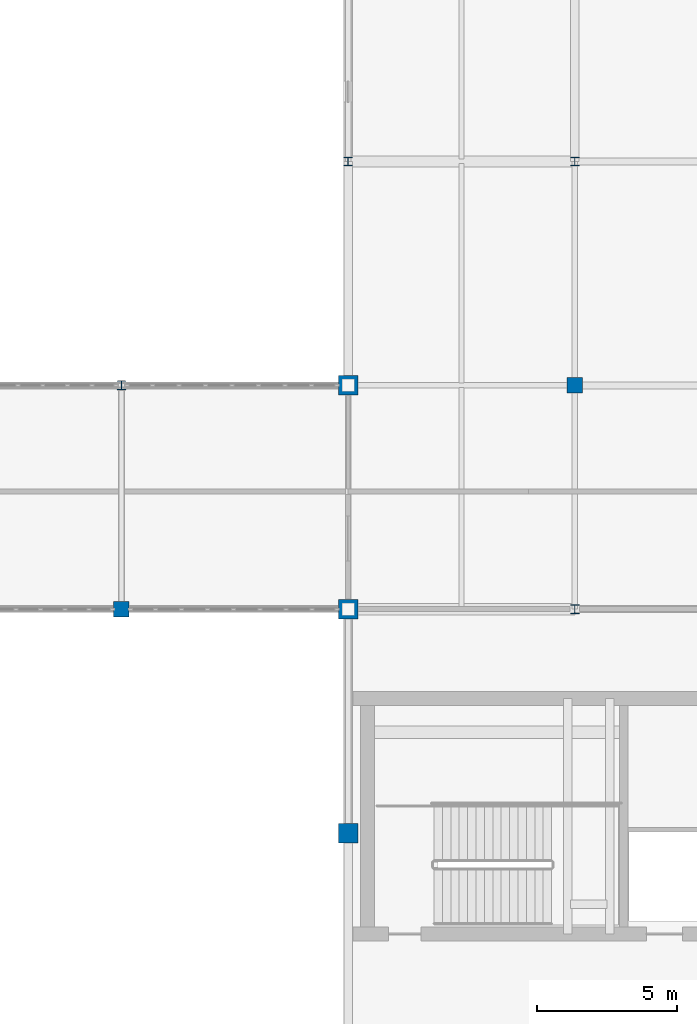
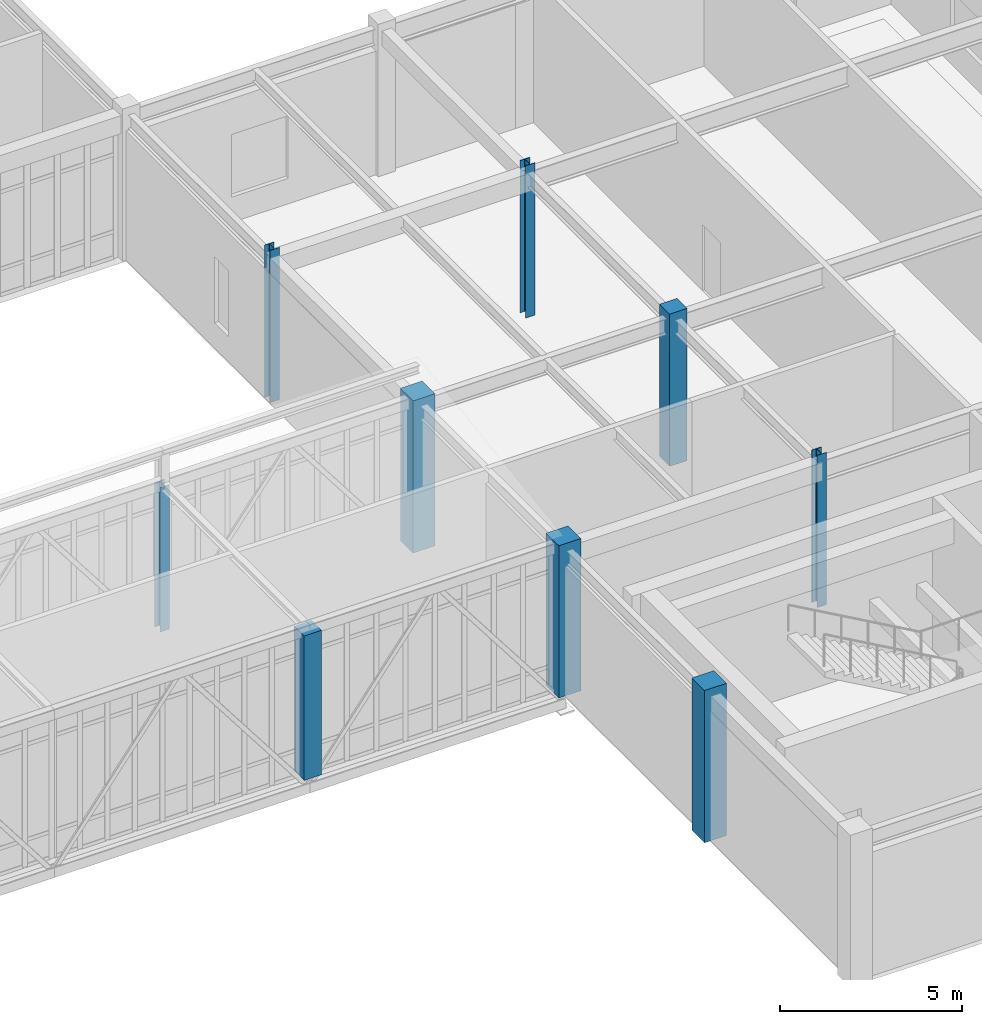
# One storey, part 10 of 107: 9 columns.
"""IFC4 building model written with IfcOpenShell, lengths in metres."""

from ifc_helpers import new_model, si_unit, direction, frame, origin, origin_2d, place, context, subcontext, project, spatial, rectangle, i_section, extrude, material, material_profile, profile_set, type_object, element, save


model = new_model("IFC4")

# Units and contexts
model_context = context("Model", 3, precision=1e-05, world=origin(), true_north=direction((0.0, 1.0)))
body_context = subcontext(model_context, "Body", "Model", "MODEL_VIEW")
ifc_project = project(units=[si_unit("LENGTHUNIT", "METRE"), si_unit("AREAUNIT", "SQUARE_METRE"), si_unit("VOLUMEUNIT", "CUBIC_METRE"), si_unit("PLANEANGLEUNIT", "RADIAN"), si_unit("MASSUNIT", "GRAM", prefix="KILO")], contexts=[model_context])

# Site, building, storey
site_placement = place(None, origin())
site = spatial("IfcSite", under=ifc_project, at=site_placement, CompositionType="ELEMENT")
building_placement = place(site_placement, origin())
building = spatial("IfcBuilding", under=site, at=building_placement, Name="Tarnveldt Square Police Headquarters", CompositionType="ELEMENT")
storey_placement = place(building_placement, frame((0.0, 0.0, 14.699951171875)))
storey = spatial("IfcBuildingStorey", under=building, at=storey_placement, Name="L03", CompositionType="ELEMENT", Elevation=14.699951171875)

# Columns
ifc_material_1 = material(Name="Concrete 40 MPa", Category="concrete")
ifc_material_profile_1 = material_profile(ifc_material_1, rectangle(XDim=0.550048828125, YDim=0.550048828125, at=origin_2d()), Name="RC-C550x550")
ifc_profile_set_1 = profile_set([ifc_material_profile_1], Name="Concrete 40 MPa")
column_type_1 = type_object("IfcColumnType", Name="COL-RC550", PredefinedType="COLUMN", material=ifc_profile_set_1)
column_1_placement = place(storey_placement, frame((97.199951171875, 72.0, 0.0), z_axis=(0.0, 0.0, 1.0), x_axis=(1.0, 0.0, 0.0)))
element("IfcColumn", 1, at=column_1_placement, inside=storey, type_object=column_type_1, Name="L03 Column 136", PredefinedType="COLUMN", context=body_context, shape_type="SweptSolid", body=[
    extrude(rectangle(XDim=0.550048828125, YDim=0.550048828125, at=origin_2d()), origin(), (0.0, 0.0, 1.0), 4.840087890625),
])
column_2_placement = place(storey_placement, frame((113.39990234375, 80.0, 0.0), z_axis=(0.0, 0.0, 1.0), x_axis=(1.0, 0.0, 0.0)))
element("IfcColumn", 2, at=column_2_placement, inside=storey, type_object=column_type_1, Name="L03 Column 158", PredefinedType="COLUMN", context=body_context, shape_type="SweptSolid", body=[
    extrude(rectangle(XDim=0.550048828125, YDim=0.550048828125, at=origin_2d()), origin(), (0.0, 0.0, 1.0), 5.10009765625),
])
ifc_material_2 = material(Name="Concrete 50 MPa", Category="concrete")
ifc_material_profile_2 = material_profile(ifc_material_2, rectangle(XDim=0.699951171875, YDim=0.699951171875, at=origin_2d()), Name="RC-C700x700")
ifc_profile_set_2 = profile_set([ifc_material_profile_2], Name="Concrete 50 MPa")
column_type_2 = type_object("IfcColumnType", Name="COL-RC700", PredefinedType="COLUMN", material=ifc_profile_set_2)
for number, where, z_axis, x_axis, name in (
    (3, (105.300048828125, 64.0, 0.0), (0.0, 0.0, 1.0), (1.0, 0.0, 0.0), "L03 Column 146"),
    (4, (105.300048828125, 72.0, 0.0), (0.0, 0.0, 1.0), (1.0, 0.0, 0.0), "L03 Column 147"),
    (5, (105.300048828125, 80.0, 0.0), (0.0, 0.0, 1.0), (1.0, 0.0, 0.0), "L03 Column 148"),
):
    element("IfcColumn", number, at=place(storey_placement, frame(where, z_axis=z_axis, x_axis=x_axis)), inside=storey, type_object=column_type_2, Name=name, PredefinedType="COLUMN", context=body_context, shape_type="SweptSolid", body=[
        extrude(rectangle(XDim=0.699951171875, YDim=0.699951171875, at=origin_2d()), origin(), (0.0, 0.0, 1.0), 5.10009765625),
    ])
ifc_material_3 = material(Name="Steel 350W", Category="steel")
ifc_material_profile_3 = material_profile(ifc_material_3, i_section(OverallWidth=0.304931640625, OverallDepth=0.30810546875, WebThickness=0.010009765625, FlangeThickness=0.015380859375, FilletRadius=0.014892578125, at=origin_2d()), Name="W310x97")
ifc_profile_set_3 = profile_set([ifc_material_profile_3], Name="Steel 350W")
column_type_3 = type_object("IfcColumnType", Name="COL-W310x97", PredefinedType="COLUMN", material=ifc_profile_set_3)
column_3_placement = place(storey_placement, frame((97.199951171875, 80.0, 0.0), z_axis=(0.0, 0.0, 1.0), x_axis=(1.0, 0.0, 0.0)))
element("IfcColumn", 6, at=column_3_placement, inside=storey, type_object=column_type_3, Name="L03 Column 137", PredefinedType="COLUMN", context=body_context, shape_type="SweptSolid", body=[
    extrude(i_section(OverallWidth=0.304931640625, OverallDepth=0.30810546875, WebThickness=0.010009765625, FlangeThickness=0.015380859375, FilletRadius=0.014892578125, at=origin_2d()), origin(), (0.0, 0.0, 1.0), 4.840087890625),
])
for number, where, z_axis, x_axis, name in (
    (7, (105.300048828125, 88.0, 0.0), (0.0, 0.0, 1.0), (1.0, 0.0, 0.0), "L03 Column 149"),
    (8, (113.39990234375, 72.0, 0.0), (0.0, 0.0, 1.0), (1.0, 0.0, 0.0), "L03 Column 157"),
    (9, (113.39990234375, 88.0, 0.0), (0.0, 0.0, 1.0), (1.0, 0.0, 0.0), "L03 Column 159"),
):
    element("IfcColumn", number, at=place(storey_placement, frame(where, z_axis=z_axis, x_axis=x_axis)), inside=storey, type_object=column_type_3, Name=name, PredefinedType="COLUMN", context=body_context, shape_type="SweptSolid", body=[
        extrude(i_section(OverallWidth=0.304931640625, OverallDepth=0.30810546875, WebThickness=0.010009765625, FlangeThickness=0.015380859375, FilletRadius=0.014892578125, at=origin_2d()), origin(), (0.0, 0.0, 1.0), 5.10009765625),
    ])

save(model, "model.ifc")
